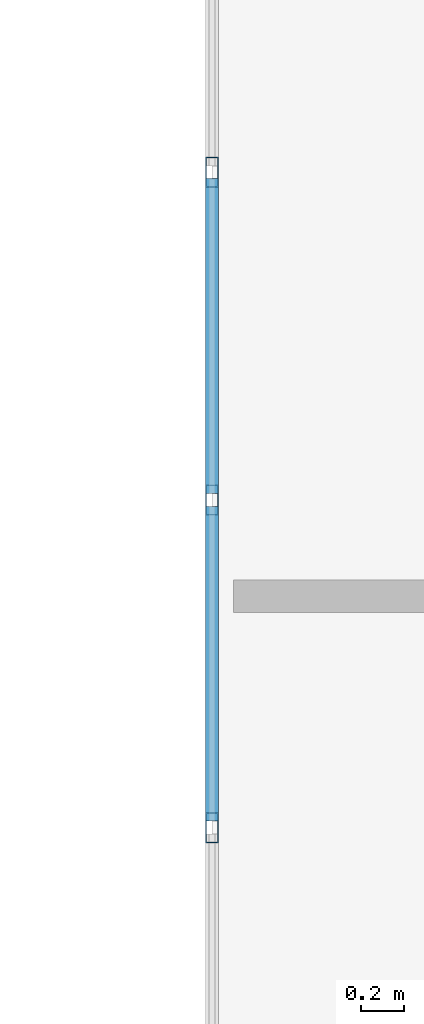
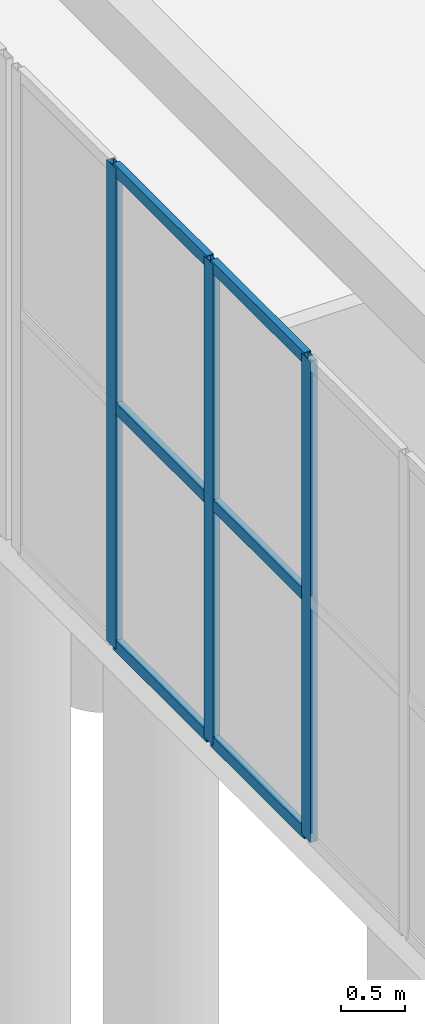
# One storey, part 82 of 192: 9 members, 1 element without a shape of its own.
"""IFC4 building model written with IfcOpenShell, lengths in metres."""

import ifcopenshell
import ifcopenshell.guid

model = None  # the IFC model being written
_history = None  # IfcOwnerHistory: only IFC2X3 demands one
_inside = {}  # id of a spatial element -> (the spatial element, [elements in it])
_under = {}  # id of a project, library or spatial element -> (it, [spatial elements below it])
_declared = {}  # id of a project -> (the project, [libraries it declares])
_typed = {}  # id of a type object -> (the type object, [elements of that type])
_made_of = {}  # id of a material, layer set ... -> (it, [elements and type objects made of it])


def new_model(schema):
    """Start an empty IFC model of exactly this schema.

    Asked for "IFC4X3", IfcOpenShell would pick the latest addendum, in which some entities
    have other attributes; the version numbers below select the first issue.
    IFC2X3 requires an IfcOwnerHistory on every rooted entity: one is made here for all.
    """
    global model, _history
    if schema == "IFC4X3":
        model = ifcopenshell.file(schema_version=(4, 3, 0, 0))
    else:
        model = ifcopenshell.file(schema=schema)
    _inside.clear()
    _under.clear()
    _declared.clear()
    _typed.clear()
    _made_of.clear()
    _history = None
    if model.schema == "IFC2X3":
        org = make("IfcOrganization", Name="unknown")
        user = make(
            "IfcPersonAndOrganization",
            ThePerson=make("IfcPerson", FamilyName="unknown"),
            TheOrganization=org,
        )
        app = make(
            "IfcApplication",
            ApplicationDeveloper=org,
            Version="unknown",
            ApplicationFullName="unknown",
            ApplicationIdentifier="unknown",
        )
        _history = make(
            "IfcOwnerHistory",
            OwningUser=user,
            OwningApplication=app,
            ChangeAction="ADDED",
            CreationDate=0,
        )
    return model


def make(cls, **values):
    """One entity of the class cls with the attributes given. An attribute that is None is left unset."""
    return model.create_entity(
        cls, **{name: value for name, value in values.items() if value is not None}
    )


def rooted(cls, **values):
    """An entity with a GlobalId (a new one), such as an element, a storey or a relation."""
    return make(cls, GlobalId=ifcopenshell.guid.new(), OwnerHistory=_history, **values)


def si_unit(unit_type, name, prefix=None):
    """IfcSIUnit, for example si_unit("LENGTHUNIT", "METRE", prefix="MILLI")."""
    return make("IfcSIUnit", UnitType=unit_type, Prefix=prefix, Name=name)


def assignment(units):
    """IfcUnitAssignment: the units of a project."""
    return None if units is None else make("IfcUnitAssignment", Units=units)


def point(xyz):
    """IfcCartesianPoint."""
    return None if xyz is None else make("IfcCartesianPoint", Coordinates=xyz)


def direction(xyz):
    """IfcDirection."""
    return None if xyz is None else make("IfcDirection", DirectionRatios=xyz)


def frame(location, z_axis=None, x_axis=None):
    """IfcAxis2Placement3D, a coordinate frame: its origin and axes. An axis left out is left unset."""
    return make(
        "IfcAxis2Placement3D",
        Location=point(location),
        Axis=direction(z_axis),
        RefDirection=direction(x_axis),
    )


def frame_2d(location, x_axis=None):
    """IfcAxis2Placement2D, a coordinate frame in the plane: its origin and x axis."""
    return make(
        "IfcAxis2Placement2D", Location=point(location), RefDirection=direction(x_axis)
    )


def origin():
    """The frame at (0, 0, 0) with its axes left unset."""
    return frame((0.0, 0.0, 0.0))


def origin_2d():
    """The frame at (0, 0) in the plane with its x axis left unset."""
    return frame_2d((0.0, 0.0))


def place(relative_to, where):
    """IfcLocalPlacement: puts the frame where relative to a parent placement (None: the world)."""
    return make(
        "IfcLocalPlacement", PlacementRelTo=relative_to, RelativePlacement=where
    )


def context(
    kind, dimensions, precision=None, world=None, true_north=None, identifier=None
):
    """IfcGeometricRepresentationContext, for example the 3D "Model" context."""
    return make(
        "IfcGeometricRepresentationContext",
        ContextIdentifier=identifier,
        ContextType=kind,
        CoordinateSpaceDimension=dimensions,
        Precision=precision,
        WorldCoordinateSystem=world,
        TrueNorth=true_north,
    )


def subcontext(parent, identifier, kind, view, scale=None):
    """IfcGeometricRepresentationSubContext, for example "Body" below "Model"."""
    return make(
        "IfcGeometricRepresentationSubContext",
        ContextIdentifier=identifier,
        ContextType=kind,
        ParentContext=parent,
        TargetScale=scale,
        TargetView=view,
    )


def project(units=None, contexts=None):
    """IfcProject with its units and contexts."""
    return rooted(
        "IfcProject",
        Name="project",
        RepresentationContexts=contexts,
        UnitsInContext=assignment(units),
    )


def spatial(cls, under=None, at=None, **own):
    """A site, building, storey or space (cls), placed at a placement, below another one or the project."""
    s = rooted(cls, ObjectPlacement=at, **own)
    if under is not None:
        _under.setdefault(under.id(), (under, []))[1].append(s)
    return s


def profile(cls, at=None, kind="AREA", **sizes):
    """A parametric profile (cls). Its sizes go by their IFC names, for example OverallWidth=200.0."""
    return make(cls, ProfileType=kind, Position=at, **sizes)


def hollow_rectangle(**sizes):
    """IfcRectangleHollowProfileDef."""
    return profile("IfcRectangleHollowProfileDef", **sizes)


def extrude(swept, where, along, depth):
    """IfcExtrudedAreaSolid: the profile swept, set in the frame where, extruded along a direction by depth."""
    return make(
        "IfcExtrudedAreaSolid",
        SweptArea=swept,
        Position=where,
        ExtrudedDirection=direction(along),
        Depth=depth,
    )


def shape(context_of_items, identifier, shape_type, items):
    """IfcShapeRepresentation: the items that make up one representation, for example the "Body"."""
    return make(
        "IfcShapeRepresentation",
        ContextOfItems=context_of_items,
        RepresentationIdentifier=identifier,
        RepresentationType=shape_type,
        Items=items,
    )


def material(Name=None, Category=None):
    """IfcMaterial."""
    return make("IfcMaterial", Name=Name, Category=Category)


def layer(
    of_material, thickness, ventilated=None, Name=None, Category=None, Priority=None
):
    """IfcMaterialLayer: one layer of a wall or slab, of a material (None: an air gap)."""
    return make(
        "IfcMaterialLayer",
        Material=of_material,
        LayerThickness=thickness,
        IsVentilated=ventilated,
        Name=Name,
        Category=Category,
        Priority=Priority,
    )


def layer_set(layers, Name=None):
    """IfcMaterialLayerSet."""
    return make("IfcMaterialLayerSet", MaterialLayers=layers, LayerSetName=Name)


def material_profile(
    of_material, cross_section, Name=None, Category=None, Priority=None
):
    """IfcMaterialProfile: a cross section and its material."""
    return make(
        "IfcMaterialProfile",
        Name=Name,
        Material=of_material,
        Profile=cross_section,
        Priority=Priority,
        Category=Category,
    )


def profile_set(profiles, Name=None, composite=None):
    """IfcMaterialProfileSet."""
    return make(
        "IfcMaterialProfileSet",
        Name=Name,
        MaterialProfiles=profiles,
        CompositeProfile=composite,
    )


def made_of(thing, what):
    """Note that an element or type object is made of a material, layer set ...; save() writes the relation."""
    if what is not None:
        _made_of.setdefault(what.id(), (what, []))[1].append(thing)
    return thing


def type_object(cls, material=None, **own):
    """A type object (cls), such as IfcWallType, which elements share."""
    return made_of(rooted(cls, **own), material)


def element(
    cls,
    number,
    at=None,
    inside=None,
    cuts=None,
    type_object=None,
    material=None,
    context=None,
    identifier="Body",
    shape_type=None,
    held_by="IfcProductDefinitionShape",
    body=None,
    shapes=None,
    **own,
):
    """One element of the class cls, such as IfcWall. Its Tag is "e" and its number.

    at: its placement. inside: the storey or other place that contains it. cuts: it is an
    opening in that element (IfcRelVoidsElement). A single representation is given by context,
    identifier, shape_type and body (its items); several are given by shapes. held_by: the class
    of the entity that holds the representations. save() writes the other relations.
    """
    e = rooted(cls, Tag="e%d" % number, ObjectPlacement=at, **own)
    if body is not None:
        shapes = [shape(context, identifier, shape_type, body)]
    if shapes is not None:
        e.Representation = make(held_by, Representations=shapes)
    if inside is not None:
        _inside.setdefault(inside.id(), (inside, []))[1].append(e)
    if cuts is not None:
        rooted(
            "IfcRelVoidsElement", RelatingBuildingElement=cuts, RelatedOpeningElement=e
        )
    if type_object is not None:
        _typed.setdefault(type_object.id(), (type_object, []))[1].append(e)
    return made_of(e, material)


def aggregate(whole, parts):
    """IfcRelAggregates: a whole, such as a stair, and the parts it consists of."""
    return rooted("IfcRelAggregates", RelatingObject=whole, RelatedObjects=parts)


def save(model, path):
    """Write the relations noted so far, then the file.

    IfcRelAggregates (storeys below a building ...), IfcRelContainedInSpatialStructure (elements
    in a storey), IfcRelDefinesByType, IfcRelAssociatesMaterial and IfcRelDeclares: one each for
    every whole, place, type object, material and project.
    """
    for whole, parts in _under.values():
        aggregate(whole, parts)
    for where, things in _inside.values():
        rooted(
            "IfcRelContainedInSpatialStructure",
            RelatedElements=things,
            RelatingStructure=where,
        )
    for kind, things in _typed.values():
        rooted("IfcRelDefinesByType", RelatedObjects=things, RelatingType=kind)
    for what, things in _made_of.values():
        rooted("IfcRelAssociatesMaterial", RelatedObjects=things, RelatingMaterial=what)
    for by, libraries in _declared.values():
        rooted("IfcRelDeclares", RelatingContext=by, RelatedDefinitions=libraries)
    model.write(path)


model = new_model("IFC4")

# Units and contexts
model_context = context("Model", 3, precision=1e-05, world=origin(), true_north=direction((0.0, 1.0)))
body_context = subcontext(model_context, "Body", "Model", "MODEL_VIEW")
ifc_project = project(units=[si_unit("LENGTHUNIT", "METRE"), si_unit("AREAUNIT", "SQUARE_METRE"), si_unit("VOLUMEUNIT", "CUBIC_METRE"), si_unit("PLANEANGLEUNIT", "RADIAN"), si_unit("MASSUNIT", "GRAM", prefix="KILO")], contexts=[model_context])

# Site, building, storey
site_placement = place(None, origin())
site = spatial("IfcSite", under=ifc_project, at=site_placement, CompositionType="ELEMENT")
building_placement = place(site_placement, origin())
building = spatial("IfcBuilding", under=site, at=building_placement, Name="Trelvath General Hospital", CompositionType="ELEMENT")
storey_placement = place(building_placement, origin())
storey = spatial("IfcBuildingStorey", under=building, at=storey_placement, Name="L00", CompositionType="ELEMENT", Elevation=0.0)

# Curtain wall, members
ifc_material_1 = material(Name="Anodised aluminium and low-E glass", Category="aluminium")
ifc_layer = layer(ifc_material_1, 0.139892578125)
ifc_layer_set = layer_set([ifc_layer], Name="Anodised aluminium and low-E glass")
curtain_wall_type = type_object("IfcCurtainWallType", Name="CW CrystalCube 1664 456 14", PredefinedType="USERDEFINED", material=ifc_layer_set)
curtain_wall_placement = place(storey_placement, origin())
curtain_wall = element("IfcCurtainWall", 1, at=curtain_wall_placement, inside=storey, type_object=curtain_wall_type, Name="Crystal Cube Curtain Wall CUBE-W-T0 W4 L00", ObjectType="Unitised Glazed Curtain Wall", PredefinedType="USERDEFINED")
ifc_material_2 = material(Name="Anodised aluminium", Category="aluminium")
ifc_material_profile_1 = material_profile(ifc_material_2, hollow_rectangle(XDim=0.06005859375, YDim=0.139892578125, WallThickness=0.00390625, at=origin_2d()), Name="RHS60x140x4")
ifc_profile_set_1 = profile_set([ifc_material_profile_1], Name="Anodised aluminium")
member_type_1 = type_object("IfcMemberType", Name="CurtainMullion 60x140", PredefinedType="MULLION", material=ifc_profile_set_1)
member_1_placement = place(storey_placement, frame((46.800048828125, 62.581787109375, 0.0), z_axis=(0.0, 0.0, 1.0), x_axis=(-1.0, 0.0, 0.0)))
member_1 = element("IfcMember", 2, at=member_1_placement, type_object=member_type_1, Name="CW-099 mullion 9", PredefinedType="MULLION", context=body_context, shape_type="SweptSolid", body=[
    extrude(hollow_rectangle(XDim=0.06005859375, YDim=0.139892578125, WallThickness=0.00390625, at=origin_2d()), origin(), (0.0, 0.0, 1.0), 4.56005859375),
])
member_2_placement = place(storey_placement, frame((46.800048828125, 64.094482421875, 0.0), z_axis=(0.0, 0.0, 1.0), x_axis=(-1.0, 0.0, 0.0)))
member_2 = element("IfcMember", 3, at=member_2_placement, type_object=member_type_1, Name="CW-099 mullion 10", PredefinedType="MULLION", context=body_context, shape_type="SweptSolid", body=[
    extrude(hollow_rectangle(XDim=0.06005859375, YDim=0.139892578125, WallThickness=0.00390625, at=origin_2d()), origin(), (0.0, 0.0, 1.0), 4.56005859375),
])
member_3_placement = place(storey_placement, frame((46.800048828125, 65.607177734375, 0.0), z_axis=(0.0, 0.0, 1.0), x_axis=(-1.0, 0.0, 0.0)))
member_3 = element("IfcMember", 4, at=member_3_placement, type_object=member_type_1, Name="CW-099 mullion 11", PredefinedType="MULLION", context=body_context, shape_type="SweptSolid", body=[
    extrude(hollow_rectangle(XDim=0.06005859375, YDim=0.139892578125, WallThickness=0.00390625, at=origin_2d()), origin(), (0.0, 0.0, 1.0), 4.56005859375),
])
ifc_material_3 = material(Name="Anodised aluminium", Category="aluminium")
ifc_material_profile_2 = material_profile(ifc_material_3, hollow_rectangle(XDim=0.06005859375, YDim=0.110107421875, WallThickness=0.00390625, at=origin_2d()), Name="RHS60x110x4")
ifc_profile_set_2 = profile_set([ifc_material_profile_2], Name="Anodised aluminium")
member_type_2 = type_object("IfcMemberType", Name="CurtainTransom 60x110", PredefinedType="USERDEFINED", material=ifc_profile_set_2)
member_4_placement = place(storey_placement, frame((46.800048828125, 62.61181640625, 0.030029296875), z_axis=(0.0, 1.0, 0.0), x_axis=(-1.0, 0.0, 0.0)))
member_4 = element("IfcMember", 5, at=member_4_placement, type_object=member_type_2, Name="CW-099 transom 9.1", ObjectType="TRANSOM", PredefinedType="USERDEFINED", context=body_context, shape_type="SweptSolid", body=[
    extrude(hollow_rectangle(XDim=0.06005859375, YDim=0.110107421875, WallThickness=0.00390625, at=origin_2d()), origin(), (0.0, 0.0, 1.0), 1.45263671875),
])
member_5_placement = place(storey_placement, frame((46.800048828125, 62.61181640625, 2.280029296875), z_axis=(0.0, 1.0, 0.0), x_axis=(-1.0, 0.0, 0.0)))
member_5 = element("IfcMember", 6, at=member_5_placement, type_object=member_type_2, Name="CW-099 transom 9.2", ObjectType="TRANSOM", PredefinedType="USERDEFINED", context=body_context, shape_type="SweptSolid", body=[
    extrude(hollow_rectangle(XDim=0.06005859375, YDim=0.110107421875, WallThickness=0.00390625, at=origin_2d()), origin(), (0.0, 0.0, 1.0), 1.45263671875),
])
member_6_placement = place(storey_placement, frame((46.800048828125, 62.61181640625, 4.530029296875), z_axis=(0.0, 1.0, 0.0), x_axis=(-1.0, 0.0, 0.0)))
member_6 = element("IfcMember", 7, at=member_6_placement, type_object=member_type_2, Name="CW-099 transom 9.3", ObjectType="TRANSOM", PredefinedType="USERDEFINED", context=body_context, shape_type="SweptSolid", body=[
    extrude(hollow_rectangle(XDim=0.06005859375, YDim=0.110107421875, WallThickness=0.00390625, at=origin_2d()), origin(), (0.0, 0.0, 1.0), 1.45263671875),
])
member_7_placement = place(storey_placement, frame((46.800048828125, 64.12451171875, 0.030029296875), z_axis=(0.0, 1.0, 0.0), x_axis=(-1.0, 0.0, 0.0)))
member_7 = element("IfcMember", 8, at=member_7_placement, type_object=member_type_2, Name="CW-099 transom 10.1", ObjectType="TRANSOM", PredefinedType="USERDEFINED", context=body_context, shape_type="SweptSolid", body=[
    extrude(hollow_rectangle(XDim=0.06005859375, YDim=0.110107421875, WallThickness=0.00390625, at=origin_2d()), origin(), (0.0, 0.0, 1.0), 1.452880859375),
])
member_8_placement = place(storey_placement, frame((46.800048828125, 64.12451171875, 2.280029296875), z_axis=(0.0, 1.0, 0.0), x_axis=(-1.0, 0.0, 0.0)))
member_8 = element("IfcMember", 9, at=member_8_placement, type_object=member_type_2, Name="CW-099 transom 10.2", ObjectType="TRANSOM", PredefinedType="USERDEFINED", context=body_context, shape_type="SweptSolid", body=[
    extrude(hollow_rectangle(XDim=0.06005859375, YDim=0.110107421875, WallThickness=0.00390625, at=origin_2d()), origin(), (0.0, 0.0, 1.0), 1.452880859375),
])
member_9_placement = place(storey_placement, frame((46.800048828125, 64.12451171875, 4.530029296875), z_axis=(0.0, 1.0, 0.0), x_axis=(-1.0, 0.0, 0.0)))
member_9 = element("IfcMember", 10, at=member_9_placement, type_object=member_type_2, Name="CW-099 transom 10.3", ObjectType="TRANSOM", PredefinedType="USERDEFINED", context=body_context, shape_type="SweptSolid", body=[
    extrude(hollow_rectangle(XDim=0.06005859375, YDim=0.110107421875, WallThickness=0.00390625, at=origin_2d()), origin(), (0.0, 0.0, 1.0), 1.452880859375),
])
aggregate(curtain_wall, [member_1, member_2, member_3, member_4, member_5, member_6, member_7, member_8, member_9])

save(model, "model.ifc")
